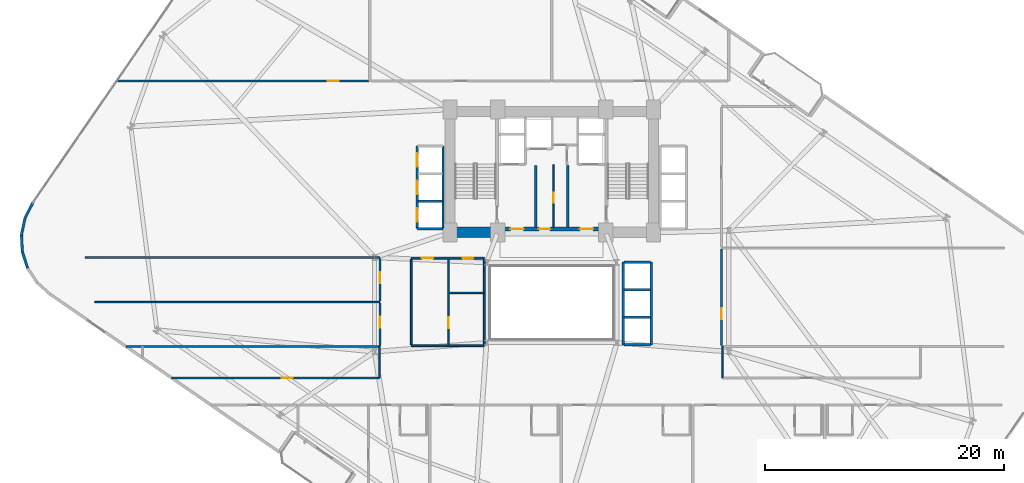
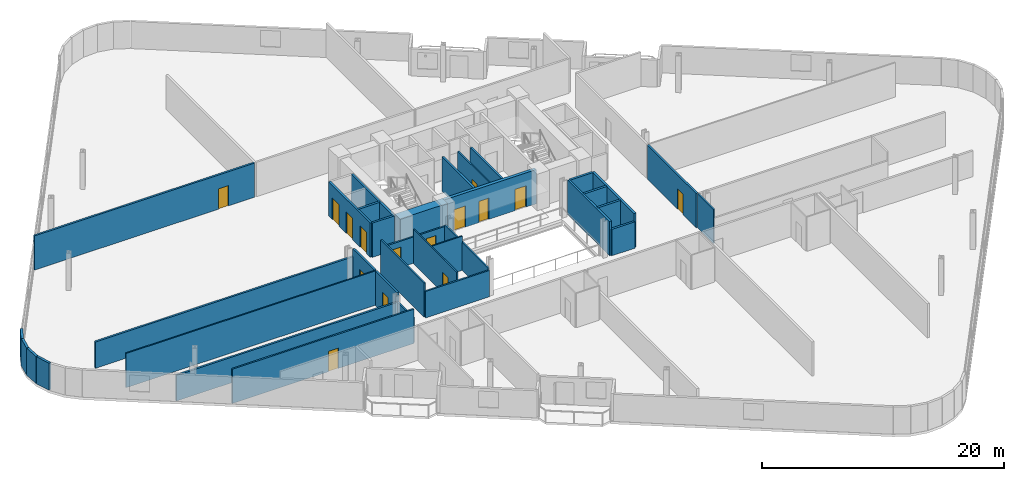
# One storey, part 18 of 24: 35 walls, 15 doors, 15 openings.
"""IFC4 building model written with IfcOpenShell, lengths in metres."""

from ifc_helpers import new_model, si_unit, direction, frame, frame_2d, origin, place, context, subcontext, project, spatial, rectangle, extrude, material, layer, layer_set, type_object, element, fill, save


model = new_model("IFC4")

# Units and contexts
model_context = context("Model", 3, precision=1e-05, world=origin(), true_north=direction((0.0, 1.0)))
body_context = subcontext(model_context, "Body", "Model", "MODEL_VIEW")
ifc_project = project(units=[si_unit("LENGTHUNIT", "METRE"), si_unit("AREAUNIT", "SQUARE_METRE"), si_unit("VOLUMEUNIT", "CUBIC_METRE"), si_unit("PLANEANGLEUNIT", "RADIAN"), si_unit("MASSUNIT", "GRAM", prefix="KILO")], contexts=[model_context])

# Site, building, storey
site_placement = place(None, origin())
site = spatial("IfcSite", under=ifc_project, at=site_placement, CompositionType="ELEMENT")
building_placement = place(site_placement, origin())
building = spatial("IfcBuilding", under=site, at=building_placement, Name="Varnelok Gate Tower", CompositionType="ELEMENT")
storey_placement = place(building_placement, frame((0.0, 0.0, 41.800048828125)))
storey = spatial("IfcBuildingStorey", under=building, at=storey_placement, Name="L09", CompositionType="ELEMENT", Elevation=41.800048828125)

# Walls
ifc_material_1 = material(Name="Concrete C45/55", Category="concrete")
ifc_layer_1 = layer(ifc_material_1, 0.219970703125)
ifc_layer_set_1 = layer_set([ifc_layer_1], Name="Concrete C45/55")
wall_type_1 = type_object("IfcWallType", Name="EW-BALC-220", PredefinedType="SOLIDWALL", material=ifc_layer_set_1)
wall_1_placement = place(storey_placement, frame((-4.158203125, 31.24462890625, 0.0), z_axis=(0.0, 0.0, 1.0), x_axis=(-0.454777156549, -0.890605264908, 0.0)))
element("IfcWall", 1, at=wall_1_placement, inside=storey, type_object=wall_type_1, Name="L09 Perimeter Facade Closure Wall 1", PredefinedType="SOLIDWALL", context=body_context, shape_type="SweptSolid", body=[
    extrude(rectangle(XDim=1.43017578125, YDim=0.219970703125, at=frame_2d((0.715087890625, 0.0))), origin(), (0.0, 0.0, 1.0), 2.72998046875),
])
for number, where, z_axis, x_axis, name in (
    (2, (-4.81396484375, 29.946533203125, 0.0), (0.0, 0.0, 1.0), (-0.208829011645, -0.977952168511, 0.0), "L09 Perimeter Facade Closure Wall 2"),
    (3, (-5.106201171875, 28.547119140625, 0.0), (0.0, 0.0, 1.0), (0.051254741739, -0.998685611917, 0.0), "L09 Perimeter Facade Closure Wall 3"),
    (4, (-5.026611328125, 27.1201171875, 0.0), (0.0, 0.0, 1.0), (0.308190297603, -0.95132472924, 0.0), "L09 Perimeter Facade Closure Wall 4"),
):
    element("IfcWall", number, at=place(storey_placement, frame(where, z_axis=z_axis, x_axis=x_axis)), inside=storey, type_object=wall_type_1, Name=name, PredefinedType="SOLIDWALL", context=body_context, shape_type="SweptSolid", body=[
        extrude(rectangle(XDim=1.4052734375, YDim=0.219970703125, at=frame_2d((0.70263671875, 0.0))), origin(), (0.0, 0.0, 1.0), 2.72998046875),
    ])

# Wall, opening, door
ifc_material_2 = material(Name="Gypsum Plasterboard Acoustic Partition", Category="gypsum")
ifc_layer_2 = layer(ifc_material_2, 0.179931640625)
ifc_layer_set_2 = layer_set([ifc_layer_2], Name="Gypsum Plasterboard Acoustic Partition")
wall_type_2 = type_object("IfcWallType", Name="PW-CORR-180", PredefinedType="PARTITIONING", material=ifc_layer_set_2)
wall_2_placement = place(storey_placement, frame((2.9208984375, 41.429931640625, 0.0), z_axis=(0.0, 0.0, 1.0), x_axis=(1.0, 0.0, 0.0)))
wall_2 = element("IfcWall", 5, at=wall_2_placement, inside=storey, type_object=wall_type_2, Name="Interior Partition", PredefinedType="PARTITIONING", context=body_context, shape_type="SweptSolid", body=[
    extrude(rectangle(XDim=20.9990234375, YDim=0.179931640625, at=frame_2d((10.49951171875, 0.0))), origin(), (0.0, 0.0, 1.0), 3.449951171875),
])
opening_1_placement = place(wall_2_placement, frame((17.55419921875, 0.0, 0.0)))
opening_1 = element("IfcOpeningElement", 6, at=opening_1_placement, cuts=wall_2, Name="Opening D-I2", PredefinedType="OPENING", context=body_context, shape_type="SweptSolid", body=[
    extrude(rectangle(XDim=0.949951171875, YDim=2.050048828125, at=frame_2d((0.47509765625, 1.02490234375))), frame((0.0, 0.099853515625, 0.0), z_axis=(0.0, -1.0, 0.0), x_axis=(1.0, 0.0, 0.0)), (0.0, 0.0, 1.0), 0.199951171875),
])
ifc_material_3 = material(Name="Engineered Hardwood Timber", Category="wood")
door_type_1 = type_object("IfcDoorType", Name="DR-INT-950", OperationType="NOTDEFINED", PredefinedType="DOOR", material=ifc_material_3)
door_1_placement = place(opening_1_placement, origin())
door_1 = element("IfcDoor", 7, at=door_1_placement, inside=storey, type_object=door_type_1, Name="L09 Executive Business Office 1 Door", OperationType="SINGLE_SWING_LEFT", OverallHeight=2.050048828125, OverallWidth=0.949951171875, PredefinedType="DOOR", context=body_context, shape_type="SweptSolid", body=[
    extrude(rectangle(XDim=0.949951171875, YDim=2.050048828125, at=frame_2d((0.47509765625, 1.02490234375))), frame((0.0, 0.02490234375, 0.0), z_axis=(0.0, -1.0, 0.0), x_axis=(1.0, 0.0, 0.0)), (0.0, 0.0, 1.0), 0.050048828125),
])
fill(opening_1, door_1)

wall_3_placement = place(storey_placement, frame((24.85009765625, 19.300048828125, 0.0), z_axis=(0.0, 0.0, 1.0), x_axis=(0.0, 1.0, 0.0)))
wall_3 = element("IfcWall", 8, at=wall_3_placement, inside=storey, type_object=wall_type_2, Name="Interior Partition", PredefinedType="PARTITIONING", context=body_context, shape_type="SweptSolid", body=[
    extrude(rectangle(XDim=3.570068359375, YDim=0.179931640625, at=frame_2d((1.78515625, 0.0))), origin(), (0.0, 0.0, 1.0), 3.449951171875),
])
opening_2_placement = place(wall_3_placement, frame((1.49951171875, 0.0, 0.0)))
opening_2 = element("IfcOpeningElement", 9, at=opening_2_placement, cuts=wall_3, Name="Opening D-I3", PredefinedType="OPENING", context=body_context, shape_type="SweptSolid", body=[
    extrude(rectangle(XDim=0.919921875, YDim=2.050048828125, at=frame_2d((0.4599609375, 1.02490234375))), frame((0.0, 0.099853515625, 0.0), z_axis=(0.0, -1.0, 0.0), x_axis=(1.0, 0.0, 0.0)), (0.0, 0.0, 1.0), 0.199951171875),
])
door_type_2 = type_object("IfcDoorType", Name="DR-INT-920", OperationType="NOTDEFINED", PredefinedType="DOOR", material=ifc_material_3)
door_2_placement = place(opening_2_placement, origin())
door_2 = element("IfcDoor", 10, at=door_2_placement, inside=storey, type_object=door_type_2, Name="L09 West Wing Room 1 Door", OperationType="SINGLE_SWING_LEFT", OverallHeight=2.050048828125, OverallWidth=0.919921875, PredefinedType="DOOR", context=body_context, shape_type="SweptSolid", body=[
    extrude(rectangle(XDim=0.919921875, YDim=2.050048828125, at=frame_2d((0.4599609375, 1.02490234375))), frame((0.0, 0.02490234375, 0.0), z_axis=(0.0, -1.0, 0.0), x_axis=(1.0, 0.0, 0.0)), (0.0, 0.0, 1.0), 0.050048828125),
])
fill(opening_2, door_2)

wall_4_placement = place(storey_placement, frame((24.85009765625, 23.030029296875, 0.0), z_axis=(0.0, 0.0, 1.0), x_axis=(0.0, 1.0, 0.0)))
wall_4 = element("IfcWall", 11, at=wall_4_placement, inside=storey, type_object=wall_type_2, Name="Interior Partition", PredefinedType="PARTITIONING", context=body_context, shape_type="SweptSolid", body=[
    extrude(rectangle(XDim=3.570068359375, YDim=0.179931640625, at=frame_2d((1.78515625, 0.0))), origin(), (0.0, 0.0, 1.0), 3.449951171875),
])
opening_3_placement = place(wall_4_placement, frame((1.49951171875, 0.0, 0.0)))
opening_3 = element("IfcOpeningElement", 12, at=opening_3_placement, cuts=wall_4, Name="Opening D-I3", PredefinedType="OPENING", context=body_context, shape_type="SweptSolid", body=[
    extrude(rectangle(XDim=0.919921875, YDim=2.050048828125, at=frame_2d((0.4599609375, 1.02490234375))), frame((0.0, 0.099853515625, 0.0), z_axis=(0.0, -1.0, 0.0), x_axis=(1.0, 0.0, 0.0)), (0.0, 0.0, 1.0), 0.199951171875),
])
door_3_placement = place(opening_3_placement, origin())
door_3 = element("IfcDoor", 13, at=door_3_placement, inside=storey, type_object=door_type_2, Name="L09 West Wing Room 2 Door", OperationType="SINGLE_SWING_RIGHT", OverallHeight=2.050048828125, OverallWidth=0.919921875, PredefinedType="DOOR", context=body_context, shape_type="SweptSolid", body=[
    extrude(rectangle(XDim=0.919921875, YDim=2.050048828125, at=frame_2d((0.4599609375, 1.02490234375))), frame((0.0, 0.02490234375, 0.0), z_axis=(0.0, -1.0, 0.0), x_axis=(1.0, 0.0, 0.0)), (0.0, 0.0, 1.0), 0.050048828125),
])
fill(opening_3, door_3)

# Walls
wall_5_placement = place(storey_placement, frame((3.644775390625, 19.239990234375, 0.0), z_axis=(0.0, 0.0, 1.0), x_axis=(1.0, 0.0, 0.0)))
element("IfcWall", 14, at=wall_5_placement, inside=storey, type_object=wall_type_2, Name="Interior Partition", PredefinedType="PARTITIONING", context=body_context, shape_type="SweptSolid", body=[
    extrude(rectangle(XDim=21.205322265625, YDim=0.179931640625, at=frame_2d((10.6025390625, 0.0))), origin(), (0.0, 0.0, 1.0), 2.579833984375),
])
wall_6_placement = place(storey_placement, frame((0.199951171875, 26.659912109375, 0.0), z_axis=(0.0, 0.0, 1.0), x_axis=(1.0, 0.0, 0.0)))
element("IfcWall", 15, at=wall_6_placement, inside=storey, type_object=wall_type_2, Name="Interior Partition", PredefinedType="PARTITIONING", context=body_context, shape_type="SweptSolid", body=[
    extrude(rectangle(XDim=24.650146484375, YDim=0.179931640625, at=frame_2d((12.3251953125, 0.0))), origin(), (0.0, 0.0, 1.0), 2.661865234375),
])

# Wall, opening, door
wall_7_placement = place(storey_placement, frame((53.389892578125, 19.300048828125, 0.0), z_axis=(0.0, 0.0, 1.0), x_axis=(0.0, 1.0, 0.0)))
wall_7 = element("IfcWall", 16, at=wall_7_placement, inside=storey, type_object=wall_type_2, Name="Interior Partition", PredefinedType="PARTITIONING", context=body_context, shape_type="SweptSolid", body=[
    extrude(rectangle(XDim=8.070068359375, YDim=0.179931640625, at=frame_2d((4.03515625, 0.0))), origin(), (0.0, 0.0, 1.0), 3.449951171875),
])
opening_4_placement = place(wall_7_placement, frame((2.199951171875, 0.0, 0.0)))
opening_4 = element("IfcOpeningElement", 17, at=opening_4_placement, cuts=wall_7, Name="Opening D-I3", PredefinedType="OPENING", context=body_context, shape_type="SweptSolid", body=[
    extrude(rectangle(XDim=0.919921875, YDim=2.050048828125, at=frame_2d((0.4599609375, 1.02490234375))), frame((0.0, 0.099853515625, 0.0), z_axis=(0.0, -1.0, 0.0), x_axis=(1.0, 0.0, 0.0)), (0.0, 0.0, 1.0), 0.199951171875),
])
door_4_placement = place(opening_4_placement, origin())
door_4 = element("IfcDoor", 18, at=door_4_placement, inside=storey, type_object=door_type_2, Name="L09 East Suite 1 Door", OperationType="SINGLE_SWING_LEFT", OverallHeight=2.050048828125, OverallWidth=0.919921875, PredefinedType="DOOR", context=body_context, shape_type="SweptSolid", body=[
    extrude(rectangle(XDim=0.919921875, YDim=2.050048828125, at=frame_2d((0.4599609375, 1.02490234375))), frame((0.0, 0.02490234375, 0.0), z_axis=(0.0, -1.0, 0.0), x_axis=(1.0, 0.0, 0.0)), (0.0, 0.0, 1.0), 0.050048828125),
])
fill(opening_4, door_4)

# Walls
ifc_layer_3 = layer(ifc_material_2, 0.125)
ifc_layer_set_3 = layer_set([ifc_layer_3], Name="Gypsum Plasterboard Acoustic Partition")
wall_type_3 = type_object("IfcWallType", Name="PW-PART-125", PredefinedType="PARTITIONING", material=ifc_layer_set_3)
wall_8_placement = place(storey_placement, frame((24.800048828125, 16.610107421875, 0.0), z_axis=(0.0, 0.0, 1.0), x_axis=(0.0, 1.0, 0.0)))
element("IfcWall", 19, at=wall_8_placement, inside=storey, type_object=wall_type_3, Name="Interior Partition", PredefinedType="PARTITIONING", context=body_context, shape_type="SweptSolid", body=[
    extrude(rectangle(XDim=2.6298828125, YDim=0.125, at=frame_2d((1.31494140625, 0.0))), origin(), (0.0, 0.0, 1.0), 2.579833984375),
])
wall_9_placement = place(storey_placement, frame((53.449951171875, 16.610107421875, 0.0), z_axis=(0.0, 0.0, 1.0), x_axis=(0.0, 1.0, 0.0)))
element("IfcWall", 20, at=wall_9_placement, inside=storey, type_object=wall_type_3, Name="Interior Partition", PredefinedType="PARTITIONING", context=body_context, shape_type="SweptSolid", body=[
    extrude(rectangle(XDim=2.6298828125, YDim=0.125, at=frame_2d((1.31494140625, 0.0))), origin(), (0.0, 0.0, 1.0), 3.449951171875),
])
wall_10_placement = place(storey_placement, frame((1.0, 22.949951171875, 0.0), z_axis=(0.0, 0.0, 1.0), x_axis=(1.0, 0.0, 0.0)))
element("IfcWall", 21, at=wall_10_placement, inside=storey, type_object=wall_type_3, Name="Interior Partition", PredefinedType="PARTITIONING", context=body_context, shape_type="SweptSolid", body=[
    extrude(rectangle(XDim=23.85009765625, YDim=0.125, at=frame_2d((11.925048828125, 0.0))), origin(), (0.0, 0.0, 1.0), 3.449951171875),
])

# Wall, opening, door
wall_11_placement = place(storey_placement, frame((39.35009765625, 29.199951171875, 0.0), z_axis=(0.0, 0.0, 1.0), x_axis=(0.0, 1.0, 0.0)))
wall_11 = element("IfcWall", 22, at=wall_11_placement, inside=storey, type_object=wall_type_3, Name="Interior Partition", PredefinedType="PARTITIONING", context=body_context, shape_type="SweptSolid", body=[
    extrude(rectangle(XDim=5.219970703125, YDim=0.125, at=frame_2d((2.60986328125, 0.0))), origin(), (0.0, 0.0, 1.0), 3.449951171875),
])
opening_5_placement = place(wall_11_placement, frame((2.050048828125, 0.0, 0.0)))
opening_5 = element("IfcOpeningElement", 23, at=opening_5_placement, cuts=wall_11, Name="Opening D-RS", PredefinedType="OPENING", context=body_context, shape_type="SweptSolid", body=[
    extrude(rectangle(XDim=0.85009765625, YDim=2.050048828125, at=frame_2d((0.425048828125, 1.02490234375))), frame((0.0, 0.072509765625, 0.0), z_axis=(0.0, -1.0, 0.0), x_axis=(1.0, 0.0, 0.0)), (0.0, 0.0, 1.0), 0.14501953125),
])
ifc_material_4 = material(Name="Galvanized Steel Grade S350GD", Category="steel")
door_type_3 = type_object("IfcDoorType", Name="DR-RISER-850", OperationType="NOTDEFINED", PredefinedType="DOOR", material=ifc_material_4)
door_5_placement = place(opening_5_placement, origin())
door_5 = element("IfcDoor", 24, at=door_5_placement, inside=storey, type_object=door_type_3, Name="L09 Housekeeping Linen Door", OperationType="SINGLE_SWING_RIGHT", OverallHeight=2.050048828125, OverallWidth=0.85009765625, PredefinedType="DOOR", context=body_context, shape_type="SweptSolid", body=[
    extrude(rectangle(XDim=0.85009765625, YDim=2.050048828125, at=frame_2d((0.425048828125, 1.02490234375))), frame((0.0, 0.02490234375, 0.0), z_axis=(0.0, -1.0, 0.0), x_axis=(1.0, 0.0, 0.0)), (0.0, 0.0, 1.0), 0.050048828125),
])
fill(opening_5, door_5)

wall_12_placement = place(storey_placement, frame((30.56005859375, 19.3798828125, 0.0), z_axis=(0.0, 0.0, 1.0), x_axis=(0.0, 1.0, 0.0)))
wall_12 = element("IfcWall", 25, at=wall_12_placement, inside=storey, type_object=wall_type_3, Name="Interior Partition", PredefinedType="PARTITIONING", context=body_context, shape_type="SweptSolid", body=[
    extrude(rectangle(XDim=7.16015625, YDim=0.125, at=frame_2d((3.580078125, 0.0))), origin(), (0.0, 0.0, 1.0), 3.449951171875),
])
opening_6_placement = place(wall_12_placement, frame((1.39990234375, 0.0, 0.0)))
opening_6 = element("IfcOpeningElement", 26, at=opening_6_placement, cuts=wall_12, Name="Opening D-I3", PredefinedType="OPENING", context=body_context, shape_type="SweptSolid", body=[
    extrude(rectangle(XDim=0.919921875, YDim=2.050048828125, at=frame_2d((0.4599609375, 1.02490234375))), frame((0.0, 0.072509765625, 0.0), z_axis=(0.0, -1.0, 0.0), x_axis=(1.0, 0.0, 0.0)), (0.0, 0.0, 1.0), 0.14501953125),
])
door_6_placement = place(opening_6_placement, origin())
door_6 = element("IfcDoor", 27, at=door_6_placement, inside=storey, type_object=door_type_2, Name="L09 Floor Linen Store Door", OperationType="SINGLE_SWING_RIGHT", OverallHeight=2.050048828125, OverallWidth=0.919921875, PredefinedType="DOOR", context=body_context, shape_type="SweptSolid", body=[
    extrude(rectangle(XDim=0.919921875, YDim=2.050048828125, at=frame_2d((0.4599609375, 1.02490234375))), frame((0.0, 0.02490234375, 0.0), z_axis=(0.0, -1.0, 0.0), x_axis=(1.0, 0.0, 0.0)), (0.0, 0.0, 1.0), 0.050048828125),
])
fill(opening_6, door_6)

# Wall
wall_13_placement = place(storey_placement, frame((30.639892578125, 23.7099609375, 0.0), z_axis=(0.0, 0.0, 1.0), x_axis=(1.0, 0.0, 0.0)))
element("IfcWall", 28, at=wall_13_placement, inside=storey, type_object=wall_type_3, Name="Interior Partition", PredefinedType="PARTITIONING", context=body_context, shape_type="SweptSolid", body=[
    extrude(rectangle(XDim=2.880126953125, YDim=0.125, at=frame_2d((1.43994140625, 0.0))), origin(), (0.0, 0.0, 1.0), 3.449951171875),
])

# Wall, opening, door
ifc_layer_4 = layer(ifc_material_2, 0.14990234375)
ifc_layer_set_4 = layer_set([ifc_layer_4], Name="Gypsum Plasterboard Acoustic Partition")
wall_type_4 = type_object("IfcWallType", Name="PW-PART-150", PredefinedType="PARTITIONING", material=ifc_layer_set_4)
wall_14_placement = place(storey_placement, frame((7.462890625, 16.610107421875, 0.0), z_axis=(0.0, 0.0, 1.0), x_axis=(1.0, 0.0, 0.0)))
wall_14 = element("IfcWall", 29, at=wall_14_placement, inside=storey, type_object=wall_type_4, Name="Interior Partition", PredefinedType="PARTITIONING", context=body_context, shape_type="SweptSolid", body=[
    extrude(rectangle(XDim=17.337158203125, YDim=0.14990234375, at=frame_2d((8.66845703125, 0.0))), origin(), (0.0, 0.0, 1.0), 3.449951171875),
])
opening_7_placement = place(wall_14_placement, frame((9.197265625, 0.0, 0.0)))
opening_7 = element("IfcOpeningElement", 30, at=opening_7_placement, cuts=wall_14, Name="Opening D-I3", PredefinedType="OPENING", context=body_context, shape_type="SweptSolid", body=[
    extrude(rectangle(XDim=0.919921875, YDim=2.050048828125, at=frame_2d((0.4599609375, 1.02490234375))), frame((0.0, 0.0849609375, 0.0), z_axis=(0.0, -1.0, 0.0), x_axis=(1.0, 0.0, 0.0)), (0.0, 0.0, 1.0), 0.169921875),
])
door_7_placement = place(opening_7_placement, origin())
door_7 = element("IfcDoor", 31, at=door_7_placement, inside=storey, type_object=door_type_2, Name="L09 Atrium Room 1 Door", OperationType="SINGLE_SWING_LEFT", OverallHeight=2.050048828125, OverallWidth=0.919921875, PredefinedType="DOOR", context=body_context, shape_type="SweptSolid", body=[
    extrude(rectangle(XDim=0.919921875, YDim=2.050048828125, at=frame_2d((0.4599609375, 1.02490234375))), frame((0.0, 0.02490234375, 0.0), z_axis=(0.0, -1.0, 0.0), x_axis=(1.0, 0.0, 0.0)), (0.0, 0.0, 1.0), 0.050048828125),
])
fill(opening_7, door_7)

# Wall, openings, doors
wall_15_placement = place(storey_placement, frame((27.4599609375, 26.6201171875, 0.0), z_axis=(0.0, 0.0, 1.0), x_axis=(1.0, 0.0, 0.0)))
wall_15 = element("IfcWall", 32, at=wall_15_placement, inside=storey, type_object=wall_type_4, Name="Interior Partition", PredefinedType="PARTITIONING", context=body_context, shape_type="SweptSolid", body=[
    extrude(rectangle(XDim=6.10009765625, YDim=0.14990234375, at=frame_2d((3.050048828125, 0.0))), origin(), (0.0, 0.0, 1.0), 2.661865234375),
])
opening_8_placement = place(wall_15_placement, frame((0.89990234375, 0.0, 0.0)))
opening_8 = element("IfcOpeningElement", 33, at=opening_8_placement, cuts=wall_15, Name="Opening D-I2", PredefinedType="OPENING", context=body_context, shape_type="SweptSolid", body=[
    extrude(rectangle(XDim=0.949951171875, YDim=2.050048828125, at=frame_2d((0.47509765625, 1.02490234375))), frame((0.0, 0.0849609375, 0.0), z_axis=(0.0, -1.0, 0.0), x_axis=(1.0, 0.0, 0.0)), (0.0, 0.0, 1.0), 0.169921875),
])
opening_9_placement = place(wall_15_placement, frame((4.302978515625, 0.0, 0.0)))
opening_9 = element("IfcOpeningElement", 34, at=opening_9_placement, cuts=wall_15, Name="Opening D-WC", PredefinedType="OPENING", context=body_context, shape_type="SweptSolid", body=[
    extrude(rectangle(XDim=0.89990234375, YDim=2.050048828125, at=frame_2d((0.449951171875, 1.02490234375))), frame((0.0, 0.0849609375, 0.0), z_axis=(0.0, -1.0, 0.0), x_axis=(1.0, 0.0, 0.0)), (0.0, 0.0, 1.0), 0.169921875),
])
door_type_4 = type_object("IfcDoorType", Name="DR-BATH-900", OperationType="NOTDEFINED", PredefinedType="DOOR", material=ifc_material_3)
door_8_placement = place(opening_9_placement, origin())
door_8 = element("IfcDoor", 35, at=door_8_placement, inside=storey, type_object=door_type_4, Name="L09 Accessible Floor WC Door", OperationType="SINGLE_SWING_LEFT", OverallHeight=2.050048828125, OverallWidth=0.89990234375, PredefinedType="DOOR", context=body_context, shape_type="SweptSolid", body=[
    extrude(rectangle(XDim=0.89990234375, YDim=2.050048828125, at=frame_2d((0.449951171875, 1.02490234375))), frame((0.0, 0.02490234375, 0.0), z_axis=(0.0, -1.0, 0.0), x_axis=(1.0, 0.0, 0.0)), (0.0, 0.0, 1.0), 0.050048828125),
])
fill(opening_9, door_8)
door_9_placement = place(opening_8_placement, origin())
door_9 = element("IfcDoor", 36, at=door_9_placement, inside=storey, type_object=door_type_1, Name="L09 Wellness Spa Lounge Door", OperationType="SINGLE_SWING_RIGHT", OverallHeight=2.050048828125, OverallWidth=0.949951171875, PredefinedType="DOOR", context=body_context, shape_type="SweptSolid", body=[
    extrude(rectangle(XDim=0.949951171875, YDim=2.050048828125, at=frame_2d((0.47509765625, 1.02490234375))), frame((0.0, 0.02490234375, 0.0), z_axis=(0.0, -1.0, 0.0), x_axis=(1.0, 0.0, 0.0)), (0.0, 0.0, 1.0), 0.050048828125),
])
fill(opening_8, door_9)

# Walls
wall_16_placement = place(storey_placement, frame((27.4599609375, 19.300048828125, 0.0), z_axis=(0.0, 0.0, 1.0), x_axis=(1.0, 0.0, 0.0)))
element("IfcWall", 37, at=wall_16_placement, inside=storey, type_object=wall_type_4, Name="Interior Partition", PredefinedType="PARTITIONING", context=body_context, shape_type="SweptSolid", body=[
    extrude(rectangle(XDim=6.10009765625, YDim=0.14990234375, at=frame_2d((3.050048828125, 0.0))), origin(), (0.0, 0.0, 1.0), 2.661865234375),
])
wall_17_placement = place(storey_placement, frame((27.4599609375, 19.3798828125, 0.0), z_axis=(0.0, 0.0, 1.0), x_axis=(0.0, 1.0, 0.0)))
element("IfcWall", 38, at=wall_17_placement, inside=storey, type_object=wall_type_4, Name="Interior Partition", PredefinedType="PARTITIONING", context=body_context, shape_type="SweptSolid", body=[
    extrude(rectangle(XDim=7.16015625, YDim=0.14990234375, at=frame_2d((3.580078125, 0.0))), origin(), (0.0, 0.0, 1.0), 3.449951171875),
])
wall_18_placement = place(storey_placement, frame((33.56005859375, 19.3798828125, 0.0), z_axis=(0.0, 0.0, 1.0), x_axis=(0.0, 1.0, 0.0)))
element("IfcWall", 39, at=wall_18_placement, inside=storey, type_object=wall_type_4, Name="Interior Partition", PredefinedType="PARTITIONING", context=body_context, shape_type="SweptSolid", body=[
    extrude(rectangle(XDim=7.16015625, YDim=0.14990234375, at=frame_2d((3.580078125, 0.0))), origin(), (0.0, 0.0, 1.0), 2.823974609375),
])
ifc_material_5 = material(Name="Concrete C35/45", Category="concrete")
ifc_layer_5 = layer(ifc_material_5, 0.199951171875)
ifc_layer_set_5 = layer_set([ifc_layer_5], Name="Concrete C35/45")
wall_type_5 = type_object("IfcWallType", Name="PW-SHAFT-200", PredefinedType="PARTITIONING", material=ifc_layer_set_5)
for number, where, z_axis, x_axis, name in (
    (40, (37.860107421875, 29.199951171875, 0.0), (0.0, 0.0, 1.0), (0.0, 1.0, 0.0), "L09 West FF Lobby Rated Wall"),
    (41, (40.5400390625, 29.199951171875, 0.0), (0.0, 0.0, 1.0), (0.0, 1.0, 0.0), "L09 East FF Lobby Rated Wall"),
):
    element("IfcWall", number, at=place(storey_placement, frame(where, z_axis=z_axis, x_axis=x_axis)), inside=storey, type_object=wall_type_5, Name=name, PredefinedType="PARTITIONING", context=body_context, shape_type="SweptSolid", body=[
        extrude(rectangle(XDim=5.179931640625, YDim=0.199951171875, at=frame_2d((2.58984375, 0.0))), origin(), (0.0, 0.0, 1.0), 3.449951171875),
    ])
wall_19_placement = place(storey_placement, frame((28.02001953125, 31.375, 0.0), z_axis=(0.0, 0.0, 1.0), x_axis=(1.0, 0.0, 0.0)))
element("IfcWall", 42, at=wall_19_placement, inside=storey, type_object=wall_type_5, Name="L09 PL1 Divider", PredefinedType="PARTITIONING", context=body_context, shape_type="SweptSolid", body=[
    extrude(rectangle(XDim=2.06005859375, YDim=0.199951171875, at=frame_2d((1.030029296875, 0.0))), origin(), (0.0, 0.0, 1.0), 3.449951171875),
])
wall_20_placement = place(storey_placement, frame((28.0, 29.080078125, 0.0), z_axis=(0.0, 0.0, 1.0), x_axis=(1.0, 0.0, 0.0)))
element("IfcWall", 43, at=wall_20_placement, inside=storey, type_object=wall_type_5, Name="L09 PL Bank South Wall", PredefinedType="PARTITIONING", context=body_context, shape_type="SweptSolid", body=[
    extrude(rectangle(XDim=2.10009765625, YDim=0.199951171875, at=frame_2d((1.050048828125, 0.0))), origin(), (0.0, 0.0, 1.0), 3.449951171875),
])
wall_21_placement = place(storey_placement, frame((30.1201171875, 29.080078125, 0.0), z_axis=(0.0, 0.0, 1.0), x_axis=(0.0, 1.0, 0.0)))
element("IfcWall", 44, at=wall_21_placement, inside=storey, type_object=wall_type_5, Name="L09 PL Bank Back Wall", PredefinedType="PARTITIONING", context=body_context, shape_type="SweptSolid", body=[
    extrude(rectangle(XDim=6.889892578125, YDim=0.199951171875, at=frame_2d((3.44482421875, 0.0))), origin(), (0.0, 0.0, 1.0), 3.449951171875),
])

# Wall, openings, doors
wall_22_placement = place(storey_placement, frame((27.9599609375, 29.080078125, 0.0), z_axis=(0.0, 0.0, 1.0), x_axis=(0.0, 1.0, 0.0)))
wall_22 = element("IfcWall", 45, at=wall_22_placement, inside=storey, type_object=wall_type_5, Name="L09 PL Bank Front Wall", PredefinedType="PARTITIONING", context=body_context, shape_type="SweptSolid", body=[
    extrude(rectangle(XDim=6.889892578125, YDim=0.199951171875, at=frame_2d((3.44482421875, 0.0))), origin(), (0.0, 0.0, 1.0), 3.449951171875),
])
opening_10_placement = place(wall_22_placement, frame((0.590087890625, 0.0, 0.0)))
opening_10 = element("IfcOpeningElement", 46, at=opening_10_placement, cuts=wall_22, Name="Opening LD-PL1", PredefinedType="OPENING", context=body_context, shape_type="SweptSolid", body=[
    extrude(rectangle(XDim=1.10009765625, YDim=2.14990234375, at=frame_2d((0.550048828125, 1.074951171875))), frame((0.0, 0.10986328125, 0.0), z_axis=(0.0, -1.0, 0.0), x_axis=(1.0, 0.0, 0.0)), (0.0, 0.0, 1.0), 0.219970703125),
])
opening_11_placement = place(wall_22_placement, frame((2.889892578125, 0.0, 0.0)))
opening_11 = element("IfcOpeningElement", 47, at=opening_11_placement, cuts=wall_22, Name="Opening LD-PL2", PredefinedType="OPENING", context=body_context, shape_type="SweptSolid", body=[
    extrude(rectangle(XDim=1.10009765625, YDim=2.14990234375, at=frame_2d((0.550048828125, 1.074951171875))), frame((0.0, 0.10986328125, 0.0), z_axis=(0.0, -1.0, 0.0), x_axis=(1.0, 0.0, 0.0)), (0.0, 0.0, 1.0), 0.219970703125),
])
opening_12_placement = place(wall_22_placement, frame((5.18994140625, 0.0, 0.0)))
opening_12 = element("IfcOpeningElement", 48, at=opening_12_placement, cuts=wall_22, Name="Opening LD-PL3", PredefinedType="OPENING", context=body_context, shape_type="SweptSolid", body=[
    extrude(rectangle(XDim=1.10009765625, YDim=2.14990234375, at=frame_2d((0.550048828125, 1.074951171875))), frame((0.0, 0.10986328125, 0.0), z_axis=(0.0, -1.0, 0.0), x_axis=(1.0, 0.0, 0.0)), (0.0, 0.0, 1.0), 0.219970703125),
])
door_type_5 = type_object("IfcDoorType", Name="DR-LIFT-PAX1100", OperationType="SLIDING_TO_LEFT", PredefinedType="DOOR", material=ifc_material_4)
door_10_placement = place(opening_10_placement, origin())
door_10 = element("IfcDoor", 49, at=door_10_placement, inside=storey, type_object=door_type_5, Name="L09 Passenger Lift Landing Door LD-PL1", OperationType="SLIDING_TO_LEFT", OverallHeight=2.14990234375, OverallWidth=1.10009765625, PredefinedType="DOOR", context=body_context, shape_type="SweptSolid", body=[
    extrude(rectangle(XDim=1.10009765625, YDim=2.14990234375, at=frame_2d((0.550048828125, 1.074951171875))), frame((0.0, 0.02490234375, 0.0), z_axis=(0.0, -1.0, 0.0), x_axis=(1.0, 0.0, 0.0)), (0.0, 0.0, 1.0), 0.050048828125),
])
fill(opening_10, door_10)
door_11_placement = place(opening_11_placement, origin())
door_11 = element("IfcDoor", 50, at=door_11_placement, inside=storey, type_object=door_type_5, Name="L09 Passenger Lift Landing Door LD-PL2", OperationType="SLIDING_TO_LEFT", OverallHeight=2.14990234375, OverallWidth=1.10009765625, PredefinedType="DOOR", context=body_context, shape_type="SweptSolid", body=[
    extrude(rectangle(XDim=1.10009765625, YDim=2.14990234375, at=frame_2d((0.550048828125, 1.074951171875))), frame((0.0, 0.02490234375, 0.0), z_axis=(0.0, -1.0, 0.0), x_axis=(1.0, 0.0, 0.0)), (0.0, 0.0, 1.0), 0.050048828125),
])
fill(opening_11, door_11)
door_12_placement = place(opening_12_placement, origin())
door_12 = element("IfcDoor", 51, at=door_12_placement, inside=storey, type_object=door_type_5, Name="L09 Passenger Lift Landing Door LD-PL3", OperationType="SLIDING_TO_LEFT", OverallHeight=2.14990234375, OverallWidth=1.10009765625, PredefinedType="DOOR", context=body_context, shape_type="SweptSolid", body=[
    extrude(rectangle(XDim=1.10009765625, YDim=2.14990234375, at=frame_2d((0.550048828125, 1.074951171875))), frame((0.0, 0.02490234375, 0.0), z_axis=(0.0, -1.0, 0.0), x_axis=(1.0, 0.0, 0.0)), (0.0, 0.0, 1.0), 0.050048828125),
])
fill(opening_12, door_12)

# Walls
for number, where, z_axis, x_axis, name in (
    (52, (45.239990234375, 21.675048828125, 0.0), (0.0, 0.0, 1.0), (1.0, 0.0, 0.0), "L09 PH1 Divider"),
    (53, (45.239990234375, 23.97509765625, 0.0), (0.0, 0.0, 1.0), (1.0, 0.0, 0.0), "L09 PH2 Divider"),
):
    element("IfcWall", number, at=place(storey_placement, frame(where, z_axis=z_axis, x_axis=x_axis)), inside=storey, type_object=wall_type_5, Name=name, PredefinedType="PARTITIONING", context=body_context, shape_type="SweptSolid", body=[
        extrude(rectangle(XDim=2.219970703125, YDim=0.199951171875, at=frame_2d((1.10986328125, 0.0))), origin(), (0.0, 0.0, 1.0), 3.449951171875),
    ])
wall_23_placement = place(storey_placement, frame((45.239990234375, 19.3798828125, 0.0), z_axis=(0.0, 0.0, 1.0), x_axis=(1.0, 0.0, 0.0)))
element("IfcWall", 54, at=wall_23_placement, inside=storey, type_object=wall_type_5, Name="L09 PH Bank South Wall", PredefinedType="PARTITIONING", context=body_context, shape_type="SweptSolid", body=[
    extrude(rectangle(XDim=2.219970703125, YDim=0.199951171875, at=frame_2d((1.10986328125, 0.0))), origin(), (0.0, 0.0, 1.0), 2.661865234375),
])
wall_24_placement = place(storey_placement, frame((45.239990234375, 26.280029296875, 0.0), z_axis=(0.0, 0.0, 1.0), x_axis=(1.0, 0.0, 0.0)))
element("IfcWall", 55, at=wall_24_placement, inside=storey, type_object=wall_type_5, Name="L09 PH Bank North Wall", PredefinedType="PARTITIONING", context=body_context, shape_type="SweptSolid", body=[
    extrude(rectangle(XDim=2.219970703125, YDim=0.199951171875, at=frame_2d((1.10986328125, 0.0))), origin(), (0.0, 0.0, 1.0), 3.449951171875),
])
for number, where, z_axis, x_axis, name in (
    (56, (45.179931640625, 19.3798828125, 0.0), (0.0, 0.0, 1.0), (0.0, 1.0, 0.0), "L09 PH Bank Atrium Wall"),
    (57, (47.52001953125, 19.3798828125, 0.0), (0.0, 0.0, 1.0), (0.0, 1.0, 0.0), "L09 PH Bank Front Wall"),
):
    element("IfcWall", number, at=place(storey_placement, frame(where, z_axis=z_axis, x_axis=x_axis)), inside=storey, type_object=wall_type_5, Name=name, PredefinedType="PARTITIONING", context=body_context, shape_type="SweptSolid", body=[
        extrude(rectangle(XDim=6.900146484375, YDim=0.199951171875, at=frame_2d((3.4501953125, 0.0))), origin(), (0.0, 0.0, 1.0), 3.449951171875),
    ])
ifc_material_6 = material(Name="Concrete C70/85", Category="concrete")
ifc_layer_6 = layer(ifc_material_6, 0.85009765625)
ifc_layer_set_6 = layer_set([ifc_layer_6], Name="Concrete C70/85")
wall_type_6 = type_object("IfcWallType", Name="SW-CORE-850", PredefinedType="SHEAR", material=ifc_layer_set_6)
wall_25_placement = place(storey_placement, frame((30.280029296875, 28.77490234375, 0.0), z_axis=(0.0, 0.0, 1.0), x_axis=(1.0, 0.0, 0.0)))
element("IfcWall", 58, at=wall_25_placement, inside=storey, type_object=wall_type_6, Name="L09 Rear Core South-West Shear Wall", PredefinedType="SHEAR", context=body_context, shape_type="SweptSolid", body=[
    extrude(rectangle(XDim=4.52001953125, YDim=0.85009765625, at=frame_2d((2.260009765625, 0.0))), origin(), (0.0, 0.0, 1.0), 3.449951171875),
])

# Wall, openings, doors
ifc_material_7 = material(Name="Concrete C60/75", Category="concrete")
ifc_layer_7 = layer(ifc_material_7, 0.300048828125)
ifc_layer_set_7 = layer_set([ifc_layer_7], Name="Concrete C60/75")
wall_type_7 = type_object("IfcWallType", Name="SW-SHAFT-300", PredefinedType="SHEAR", material=ifc_layer_set_7)
wall_26_placement = place(storey_placement, frame((34.800048828125, 29.050048828125, 0.0), z_axis=(0.0, 0.0, 1.0), x_axis=(1.0, 0.0, 0.0)))
wall_26 = element("IfcWall", 59, at=wall_26_placement, inside=storey, type_object=wall_type_7, Name="L09 Rear Core Central Lobby Shear Wall", PredefinedType="SHEAR", context=body_context, shape_type="SweptSolid", body=[
    extrude(rectangle(XDim=8.800048828125, YDim=0.300048828125, at=frame_2d((4.39990234375, 0.0))), origin(), (0.0, 0.0, 1.0), 3.449951171875),
])
opening_13_placement = place(wall_26_placement, frame((0.949951171875, 0.0, 0.0)))
opening_13 = element("IfcOpeningElement", 60, at=opening_13_placement, cuts=wall_26, Name="Opening D-FF", PredefinedType="OPENING", context=body_context, shape_type="SweptSolid", body=[
    extrude(rectangle(XDim=1.10009765625, YDim=2.14990234375, at=frame_2d((0.550048828125, 1.074951171875))), frame((0.0, 0.159912109375, 0.0), z_axis=(0.0, -1.0, 0.0), x_axis=(1.0, 0.0, 0.0)), (0.0, 0.0, 1.0), 0.320068359375),
])
opening_14_placement = place(wall_26_placement, frame((6.75, 0.0, 0.0)))
opening_14 = element("IfcOpeningElement", 61, at=opening_14_placement, cuts=wall_26, Name="Opening D-FF", PredefinedType="OPENING", context=body_context, shape_type="SweptSolid", body=[
    extrude(rectangle(XDim=1.10009765625, YDim=2.14990234375, at=frame_2d((0.550048828125, 1.074951171875))), frame((0.0, 0.159912109375, 0.0), z_axis=(0.0, -1.0, 0.0), x_axis=(1.0, 0.0, 0.0)), (0.0, 0.0, 1.0), 0.320068359375),
])
opening_15_placement = place(wall_26_placement, frame((3.320068359375, 0.0, 0.0)))
opening_15 = element("IfcOpeningElement", 62, at=opening_15_placement, cuts=wall_26, Name="Opening D-CR", PredefinedType="OPENING", context=body_context, shape_type="SweptSolid", body=[
    extrude(rectangle(XDim=0.949951171875, YDim=2.14990234375, at=frame_2d((0.47509765625, 1.074951171875))), frame((0.0, 0.159912109375, 0.0), z_axis=(0.0, -1.0, 0.0), x_axis=(1.0, 0.0, 0.0)), (0.0, 0.0, 1.0), 0.320068359375),
])
door_type_6 = type_object("IfcDoorType", Name="DR-CORR-950", OperationType="NOTDEFINED", PredefinedType="DOOR", material=ifc_material_4)
door_13_placement = place(opening_15_placement, origin())
door_13 = element("IfcDoor", 63, at=door_13_placement, inside=storey, type_object=door_type_6, Name="L09 Core Service Passage Door", OperationType="SINGLE_SWING_LEFT", OverallHeight=2.14990234375, OverallWidth=0.949951171875, PredefinedType="DOOR", context=body_context, shape_type="SweptSolid", body=[
    extrude(rectangle(XDim=0.949951171875, YDim=2.14990234375, at=frame_2d((0.47509765625, 1.074951171875))), frame((0.0, 0.02490234375, 0.0), z_axis=(0.0, -1.0, 0.0), x_axis=(1.0, 0.0, 0.0)), (0.0, 0.0, 1.0), 0.050048828125),
])
fill(opening_15, door_13)
door_type_7 = type_object("IfcDoorType", Name="DR-FFLOB-1100", OperationType="NOTDEFINED", PredefinedType="DOOR", material=ifc_material_4)
door_14_placement = place(opening_13_placement, origin())
door_14 = element("IfcDoor", 64, at=door_14_placement, inside=storey, type_object=door_type_7, Name="L09 West Firefighting Lobby Fire Door", OperationType="SINGLE_SWING_RIGHT", OverallHeight=2.14990234375, OverallWidth=1.10009765625, PredefinedType="DOOR", context=body_context, shape_type="SweptSolid", body=[
    extrude(rectangle(XDim=1.10009765625, YDim=2.14990234375, at=frame_2d((0.550048828125, 1.074951171875))), frame((0.0, 0.02490234375, 0.0), z_axis=(0.0, -1.0, 0.0), x_axis=(1.0, 0.0, 0.0)), (0.0, 0.0, 1.0), 0.050048828125),
])
fill(opening_13, door_14)
door_15_placement = place(opening_14_placement, origin())
door_15 = element("IfcDoor", 65, at=door_15_placement, inside=storey, type_object=door_type_7, Name="L09 East Firefighting Lobby Fire Door", OperationType="SINGLE_SWING_LEFT", OverallHeight=2.14990234375, OverallWidth=1.10009765625, PredefinedType="DOOR", context=body_context, shape_type="SweptSolid", body=[
    extrude(rectangle(XDim=1.10009765625, YDim=2.14990234375, at=frame_2d((0.550048828125, 1.074951171875))), frame((0.0, 0.02490234375, 0.0), z_axis=(0.0, -1.0, 0.0), x_axis=(1.0, 0.0, 0.0)), (0.0, 0.0, 1.0), 0.050048828125),
])
fill(opening_14, door_15)

save(model, "model.ifc")
